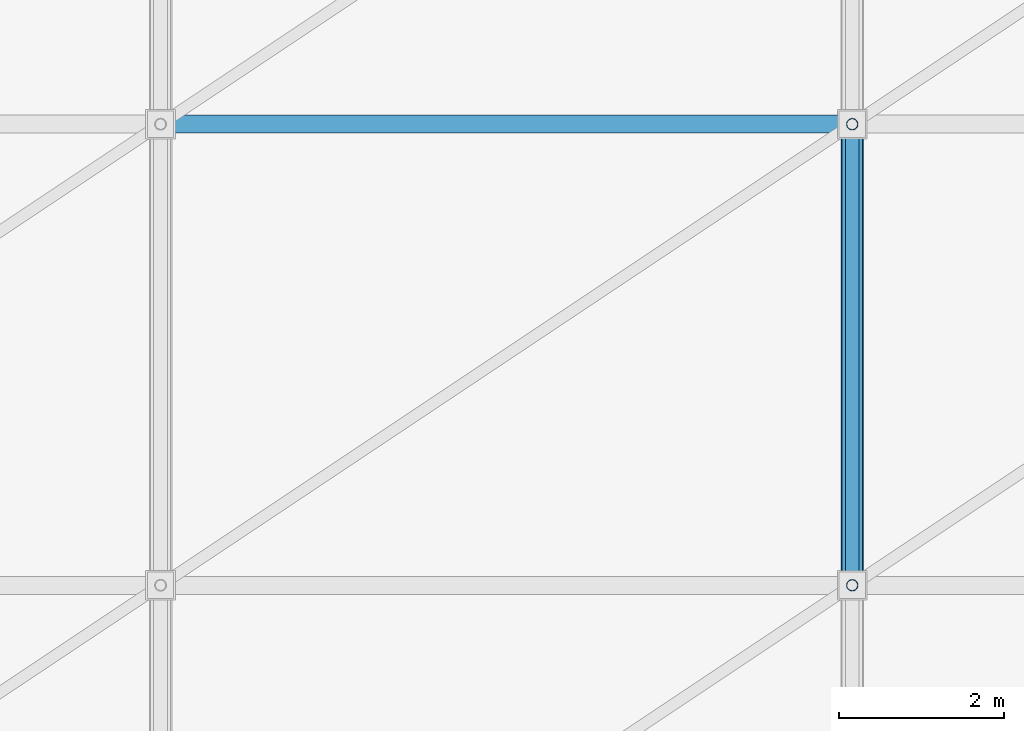
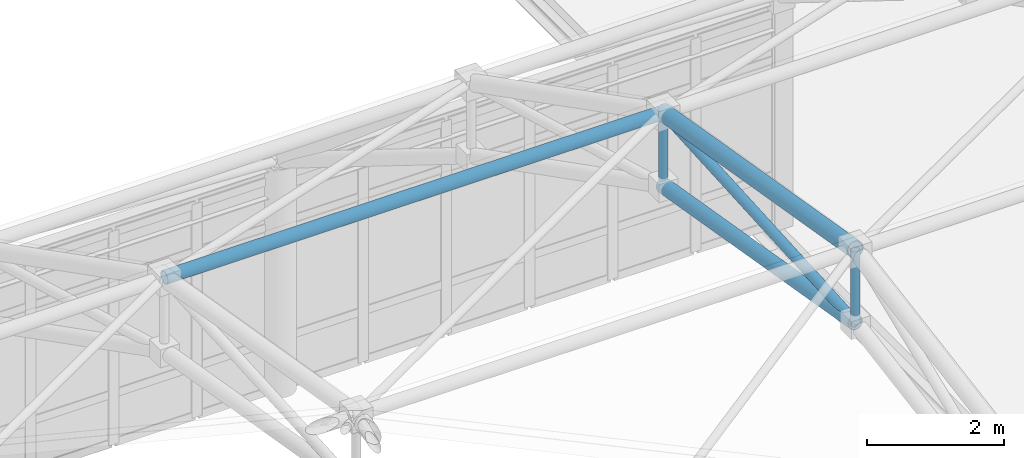
# One storey, part 88 of 184: 6 members.
"""IFC4 building model written with IfcOpenShell, lengths in metres."""

from ifc_helpers import new_model, si_unit, direction, frame, origin, origin_2d, place, context, subcontext, project, spatial, hollow_circle, extrude, material, material_profile, profile_set, type_object, element, save


model = new_model("IFC4")

# Units and contexts
model_context = context("Model", 3, precision=1e-05, world=origin(), true_north=direction((0.0, 1.0)))
body_context = subcontext(model_context, "Body", "Model", "MODEL_VIEW")
ifc_project = project(units=[si_unit("LENGTHUNIT", "METRE"), si_unit("AREAUNIT", "SQUARE_METRE"), si_unit("VOLUMEUNIT", "CUBIC_METRE"), si_unit("PLANEANGLEUNIT", "RADIAN"), si_unit("MASSUNIT", "GRAM", prefix="KILO")], contexts=[model_context])

# Site, building, storey
site_placement = place(None, origin())
site = spatial("IfcSite", under=ifc_project, at=site_placement, CompositionType="ELEMENT")
building_placement = place(site_placement, origin())
building = spatial("IfcBuilding", under=site, at=building_placement, Name="Qalvenar Corner Mobility Hub", CompositionType="ELEMENT")
storey_placement = place(building_placement, frame((0.0, 0.0, 9.0)))
storey = spatial("IfcBuildingStorey", under=building, at=storey_placement, Name="L02", CompositionType="ELEMENT", Elevation=9.0)

# Members
ifc_material = material(Name="Steel S355", Category="steel")
ifc_material_profile_1 = material_profile(ifc_material, hollow_circle(Radius=0.109619140625, WallThickness=0.008056640625, at=origin_2d()), Name="CHS219.1x8")
ifc_profile_set_1 = profile_set([ifc_material_profile_1], Name="Steel S355")
member_type_1 = type_object("IfcMemberType", Name="SF-CHD219", PredefinedType="CHORD", material=ifc_profile_set_1)
member_1_placement = place(storey_placement, frame((92.39990234375, 22.39990234375, 11.704345703125), z_axis=(1.0, 0.0, 0.0), x_axis=(0.0, 1.0, 0.0)))
element("IfcMember", 1, at=member_1_placement, inside=storey, type_object=member_type_1, Name="Space Frame Longitudinal Chord SFL-0227", PredefinedType="CHORD", context=body_context, shape_type="SweptSolid", body=[
    extrude(hollow_circle(Radius=0.109619140625, WallThickness=0.008056640625, at=origin_2d()), origin(), (0.0, 0.0, 1.0), 8.400146484375),
])
ifc_material_profile_2 = material_profile(ifc_material, hollow_circle(Radius=0.122314453125, WallThickness=0.0087890625, at=origin_2d()), Name="CHS244.5x8.8")
ifc_profile_set_2 = profile_set([ifc_material_profile_2], Name="Steel S355")
member_type_2 = type_object("IfcMemberType", Name="SF-CHD244", PredefinedType="CHORD", material=ifc_profile_set_2)
member_2_placement = place(storey_placement, frame((100.800048828125, 16.800048828125, 11.360107421875), z_axis=(0.0, 0.985744075738, -0.168251648276), x_axis=(-1.0, 0.0, 0.0)))
element("IfcMember", 2, at=member_2_placement, inside=storey, type_object=member_type_2, Name="Space Frame Bottom Chord SFBC-0136", PredefinedType="CHORD", context=body_context, shape_type="SweptSolid", body=[
    extrude(hollow_circle(Radius=0.122314453125, WallThickness=0.0087890625, at=origin_2d()), origin(), (0.0, 0.0, 1.0), 5.680908203125),
])
ifc_material_profile_3 = material_profile(ifc_material, hollow_circle(Radius=0.136474609375, WallThickness=0.010009765625, at=origin_2d()), Name="CHS273x10")
ifc_profile_set_3 = profile_set([ifc_material_profile_3], Name="Steel S355")
member_type_3 = type_object("IfcMemberType", Name="SF-CHD273", PredefinedType="CHORD", material=ifc_profile_set_3)
member_3_placement = place(storey_placement, frame((100.800048828125, 16.800048828125, 12.659912109375), z_axis=(0.0, 0.985751202632, -0.168209888264), x_axis=(-1.0, 0.0, 0.0)))
element("IfcMember", 3, at=member_3_placement, inside=storey, type_object=member_type_3, Name="Space Frame Top Chord SFTC-0135", PredefinedType="CHORD", context=body_context, shape_type="SweptSolid", body=[
    extrude(hollow_circle(Radius=0.136474609375, WallThickness=0.010009765625, at=origin_2d()), origin(), (0.0, 0.0, 1.0), 5.680908203125),
])
ifc_material_profile_4 = material_profile(ifc_material, hollow_circle(Radius=0.06982421875, WallThickness=0.0048828125, at=origin_2d()), Name="CHS139.7x5")
ifc_profile_set_4 = profile_set([ifc_material_profile_4], Name="Steel S355")
member_type_4 = type_object("IfcMemberType", Name="SF-STR139", PredefinedType="STRUT", material=ifc_profile_set_4)
member_4_placement = place(storey_placement, frame((100.800048828125, 16.800048828125, 11.360107421875), z_axis=(0.0, 0.0, 1.0), x_axis=(1.0, 0.0, 0.0)))
element("IfcMember", 4, at=member_4_placement, inside=storey, type_object=member_type_4, Name="Space Frame King Strut SFV-0145", PredefinedType="STRUT", context=body_context, shape_type="SweptSolid", body=[
    extrude(hollow_circle(Radius=0.06982421875, WallThickness=0.0048828125, at=origin_2d()), origin(), (0.0, 0.0, 1.0), 1.2998046875),
])
member_5_placement = place(storey_placement, frame((100.800048828125, 22.39990234375, 10.404296875), z_axis=(0.0, 0.0, 1.0), x_axis=(1.0, 0.0, 0.0)))
element("IfcMember", 5, at=member_5_placement, inside=storey, type_object=member_type_4, Name="Space Frame King Strut SFV-0146", PredefinedType="STRUT", context=body_context, shape_type="SweptSolid", body=[
    extrude(hollow_circle(Radius=0.06982421875, WallThickness=0.0048828125, at=origin_2d()), origin(), (0.0, 0.0, 1.0), 1.300048828125),
])
ifc_material_profile_5 = material_profile(ifc_material, hollow_circle(Radius=0.084228515625, WallThickness=0.00634765625, at=origin_2d()), Name="CHS168.3x6.3")
ifc_profile_set_5 = profile_set([ifc_material_profile_5], Name="Steel S355")
member_type_5 = type_object("IfcMemberType", Name="SF-STR168", PredefinedType="STRUT", material=ifc_profile_set_5)
member_6_placement = place(storey_placement, frame((100.800048828125, 16.800048828125, 11.360107421875), z_axis=(0.0, 0.998115889969, 0.061356908264), x_axis=(-1.0, 0.0, 0.0)))
element("IfcMember", 6, at=member_6_placement, inside=storey, type_object=member_type_5, Name="Space Frame Web Strut SFD-0137", PredefinedType="STRUT", context=body_context, shape_type="SweptSolid", body=[
    extrude(hollow_circle(Radius=0.084228515625, WallThickness=0.00634765625, at=origin_2d()), origin(), (0.0, 0.0, 1.0), 5.6103515625),
])

save(model, "model.ifc")
